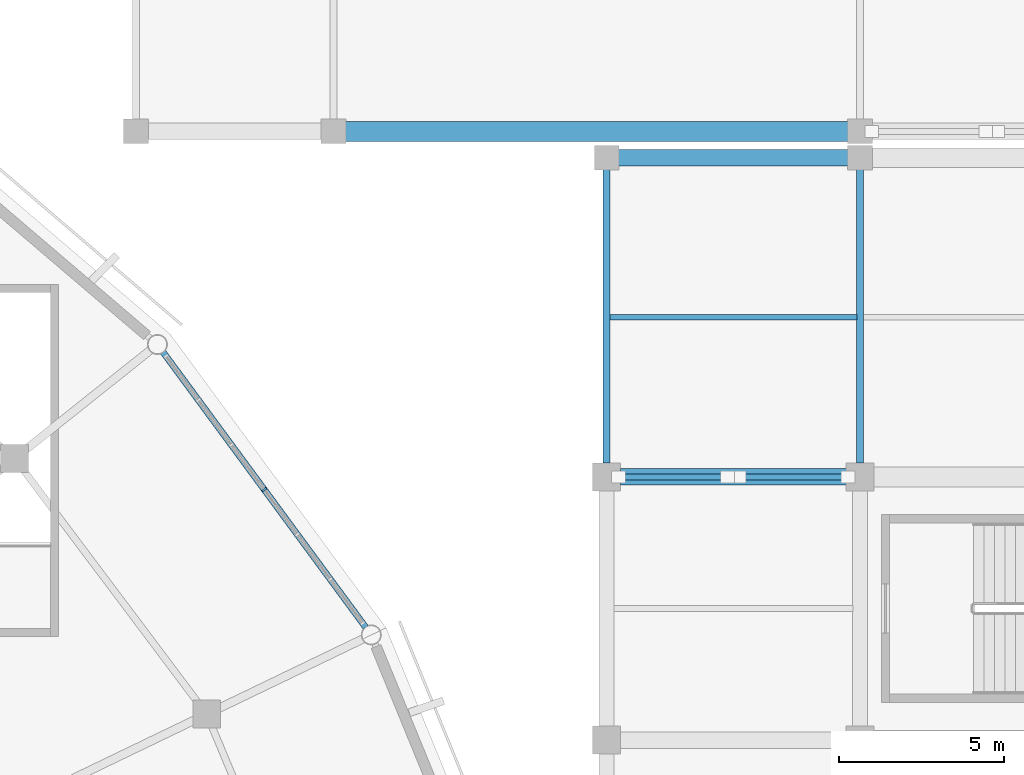
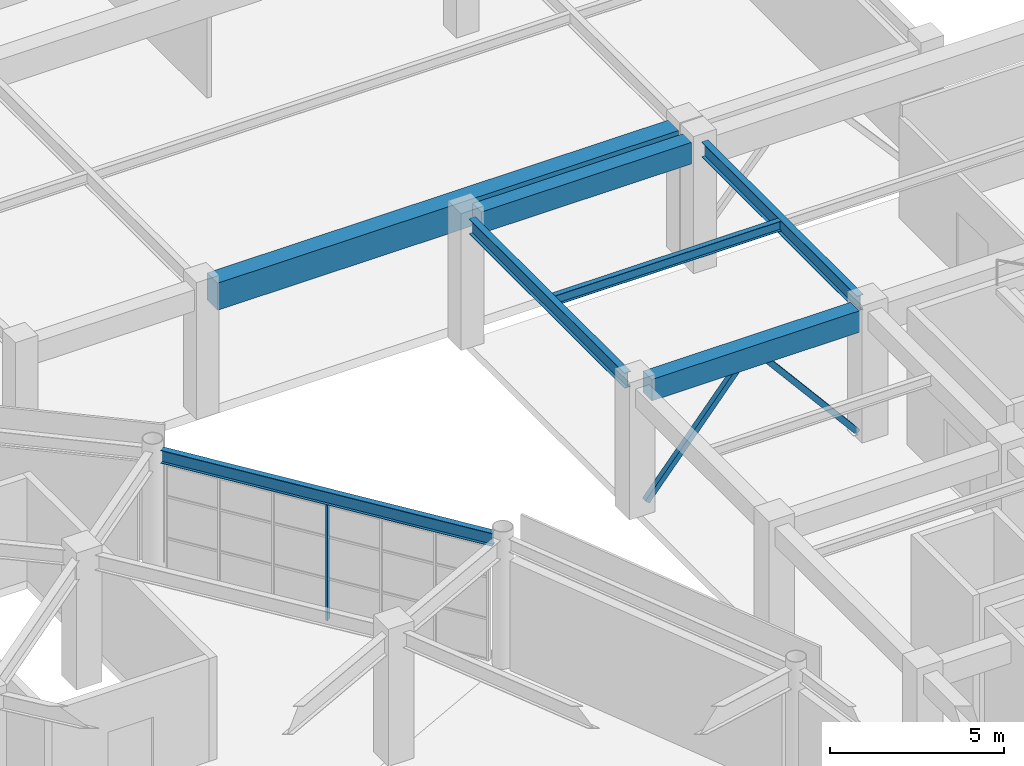
# One storey, part 59 of 112: 7 beams, 3 members, 1 element without a shape of its own.
"""IFC4 building model written with IfcOpenShell, lengths in metres."""

from ifc_helpers import new_model, si_unit, direction, frame, origin, origin_2d, place, context, subcontext, project, spatial, rectangle, hollow_rectangle, i_section, extrude, material, material_profile, profile_set, type_object, element, aggregate, save


model = new_model("IFC4")

# Units and contexts
model_context = context("Model", 3, precision=1e-05, world=origin(), true_north=direction((0.0, 1.0)))
body_context = subcontext(model_context, "Body", "Model", "MODEL_VIEW")
ifc_project = project(units=[si_unit("LENGTHUNIT", "METRE"), si_unit("AREAUNIT", "SQUARE_METRE"), si_unit("VOLUMEUNIT", "CUBIC_METRE"), si_unit("PLANEANGLEUNIT", "RADIAN"), si_unit("MASSUNIT", "GRAM", prefix="KILO")], contexts=[model_context])

# Site, building, storey
site_placement = place(None, origin())
site = spatial("IfcSite", under=ifc_project, at=site_placement, CompositionType="ELEMENT")
building_placement = place(site_placement, origin())
building = spatial("IfcBuilding", under=site, at=building_placement, Name="Cuetzalor Civic Arena", CompositionType="ELEMENT")
storey_placement = place(building_placement, frame((0.0, 0.0, 11.39990234375)))
storey = spatial("IfcBuildingStorey", under=building, at=storey_placement, Name="L02", CompositionType="ELEMENT", Elevation=11.39990234375)

# Beams
ifc_material_1 = material(Name="Concrete C40/50", Category="concrete")
ifc_material_profile_1 = material_profile(ifc_material_1, rectangle(XDim=0.5, YDim=0.75, at=origin_2d()), Name="RC 500x750")
ifc_profile_set_1 = profile_set([ifc_material_profile_1], Name="Concrete C40/50")
beam_type_1 = type_object("IfcBeamType", Name="ConcreteFrameBeam_500x750", PredefinedType="BEAM", material=ifc_profile_set_1)
beam_1_placement = place(storey_placement, frame((56.715087890625, 25.0, 4.14501953125), z_axis=(1.0, 0.0, 0.0), x_axis=(0.0, 1.0, 0.0)))
element("IfcBeam", 1, at=beam_1_placement, inside=storey, type_object=beam_type_1, Name="Frame Girder V4E-L02-X0730", PredefinedType="BEAM", context=body_context, shape_type="SweptSolid", body=[
    extrude(rectangle(XDim=0.5, YDim=0.75, at=origin_2d()), origin(), (0.0, 0.0, 1.0), 6.869873046875),
])
beam_2_placement = place(storey_placement, frame((56.6650390625, 34.699951171875, 4.14501953125), z_axis=(1.0, 0.0, 0.0), x_axis=(0.0, 1.0, 0.0)))
element("IfcBeam", 2, at=beam_2_placement, inside=storey, type_object=beam_type_1, Name="Frame Girder V4E-L02-X0733", PredefinedType="BEAM", context=body_context, shape_type="SweptSolid", body=[
    extrude(rectangle(XDim=0.5, YDim=0.75, at=origin_2d()), origin(), (0.0, 0.0, 1.0), 6.969970703125),
])
ifc_material_2 = material(Name="Concrete C40/50", Category="concrete")
ifc_material_profile_2 = material_profile(ifc_material_2, rectangle(XDim=0.60009765625, YDim=0.949951171875, at=origin_2d()), Name="RC 600x950")
ifc_profile_set_2 = profile_set([ifc_material_profile_2], Name="Concrete C40/50")
beam_type_2 = type_object("IfcBeamType", Name="ConcreteFrameBeam_600x950", PredefinedType="BEAM", material=ifc_profile_set_2)
beam_3_placement = place(storey_placement, frame((48.364990234375, 35.5, 4.005126953125), z_axis=(1.0, 0.0, 0.0), x_axis=(0.0, 1.0, 0.0)))
element("IfcBeam", 3, at=beam_3_placement, inside=storey, type_object=beam_type_2, Name="Frame Girder V5-L02-X0782", PredefinedType="BEAM", context=body_context, shape_type="SweptSolid", body=[
    extrude(rectangle(XDim=0.60009765625, YDim=0.949951171875, at=origin_2d()), origin(), (0.0, 0.0, 1.0), 15.27001953125),
])

# Curtain wall, member
ifc_material_3 = material(Name="Anodised dark bronze aluminium and low-E solar glass", Category="aluminium")
curtain_wall_type = type_object("IfcCurtainWallType", Name="UnitisedCW_10150x4050", PredefinedType="USERDEFINED", material=ifc_material_3)
curtain_wall_placement = place(storey_placement, origin())
curtain_wall = element("IfcCurtainWall", 4, at=curtain_wall_placement, inside=storey, type_object=curtain_wall_type, Name="Drum Triangle Foyer Curtain Wall L02-033", ObjectType="UNITISED CURTAIN WALL", PredefinedType="USERDEFINED")
ifc_material_4 = material(Name="Anodised dark bronze aluminium", Category="aluminium")
ifc_material_profile_3 = material_profile(ifc_material_4, rectangle(XDim=0.06494140625, YDim=0.14990234375, at=origin_2d()), Name="ALU MULLION 65x150")
ifc_profile_set_3 = profile_set([ifc_material_profile_3], Name="Anodised dark bronze aluminium")
member_type_1 = type_object("IfcMemberType", Name="CurtainWallMullion_60x150", PredefinedType="MULLION", material=ifc_profile_set_3)
member_1_placement = place(storey_placement, frame((45.8984375, 24.6103515625, 0.0), z_axis=(0.0, 0.0, 1.0), x_axis=(0.59292931222, -0.805254513002, 0.0)))
member_1 = element("IfcMember", 5, at=member_1_placement, type_object=member_type_1, Name="CW-12 mullion 4", PredefinedType="MULLION", context=body_context, shape_type="SweptSolid", body=[
    extrude(rectangle(XDim=0.06494140625, YDim=0.14990234375, at=origin_2d()), origin(), (0.0, 0.0, 1.0), 4.052978515625),
])
aggregate(curtain_wall, [member_1])

# Beam
ifc_material_5 = material(Name="Steel S355", Category="steel")
ifc_material_profile_4 = material_profile(ifc_material_5, i_section(OverallWidth=0.18994140625, OverallDepth=0.45703125, WebThickness=0.009033203125, FlangeThickness=0.014404296875, at=origin_2d()), Name="W460x74")
ifc_profile_set_4 = profile_set([ifc_material_profile_4], Name="Steel S355")
beam_type_3 = type_object("IfcBeamType", Name="FacadeSpandrelBeam_W460", PredefinedType="SPANDREL", material=ifc_profile_set_4)
beam_4_placement = place(storey_placement, frame((48.975830078125, 20.430908203125, 4.29150390625), z_axis=(-0.592928645702, 0.805255003776, 0.0), x_axis=(-0.805255003776, -0.592928645702, 0.0)))
element("IfcBeam", 6, at=beam_4_placement, inside=storey, type_object=beam_type_3, Name="Drum Perimeter Spandrel L02-S03", PredefinedType="SPANDREL", context=body_context, shape_type="SweptSolid", body=[
    extrude(i_section(OverallWidth=0.18994140625, OverallDepth=0.45703125, WebThickness=0.009033203125, FlangeThickness=0.014404296875, at=origin_2d()), origin(), (0.0, 0.0, 1.0), 10.380615234375),
])

# Members
ifc_material_6 = material(Name="Steel S355", Category="steel")
ifc_material_profile_5 = material_profile(ifc_material_6, hollow_rectangle(XDim=0.179931640625, YDim=0.179931640625, WallThickness=0.010009765625, at=origin_2d()), Name="RHS 180x180x10")
ifc_profile_set_5 = profile_set([ifc_material_profile_5], Name="Steel S355")
member_type_2 = type_object("IfcMemberType", Name="LateralFrameBrace_RHS180", PredefinedType="BRACE", material=ifc_profile_set_5)
member_2_placement = place(storey_placement, frame((56.659912109375, 25.0, 0.150146484375), z_axis=(0.644208902135, 0.0, 0.764849586788), x_axis=(0.0, 1.0, 0.0)))
element("IfcMember", 7, at=member_2_placement, inside=storey, type_object=member_type_2, Name="Lateral Chevron Brace V4E-L02-027", PredefinedType="BRACE", context=body_context, shape_type="SweptSolid", body=[
    extrude(hollow_rectangle(XDim=0.179931640625, YDim=0.179931640625, WallThickness=0.010009765625, at=origin_2d()), origin(), (0.0, 0.0, 1.0), 5.13818359375),
])
member_3_placement = place(storey_placement, frame((63.639892578125, 25.0, 0.150146484375), z_axis=(-0.644181104804, 0.0, 0.764872998748), x_axis=(0.0, -1.0, 0.0)))
element("IfcMember", 8, at=member_3_placement, inside=storey, type_object=member_type_2, Name="Lateral Chevron Brace V4E-L02-028", PredefinedType="BRACE", context=body_context, shape_type="SweptSolid", body=[
    extrude(hollow_rectangle(XDim=0.179931640625, YDim=0.179931640625, WallThickness=0.010009765625, at=origin_2d()), origin(), (0.0, 0.0, 1.0), 5.137939453125),
])

# Beams
ifc_material_7 = material(Name="Steel S355", Category="steel")
ifc_material_profile_6 = material_profile(ifc_material_7, i_section(OverallWidth=0.1708984375, OverallDepth=0.35498046875, WebThickness=0.007080078125, FlangeThickness=0.01171875, at=origin_2d()), Name="W360x51")
ifc_profile_set_6 = profile_set([ifc_material_profile_6], Name="Steel S355")
beam_type_4 = type_object("IfcBeamType", Name="SecondaryFloorJoist_W360", PredefinedType="JOIST", material=ifc_profile_set_6)
beam_5_placement = place(storey_placement, frame((56.396484375, 29.85009765625, 4.342529296875), z_axis=(1.0, 0.0, 0.0), x_axis=(0.0, 1.0, 0.0)))
element("IfcBeam", 9, at=beam_5_placement, inside=storey, type_object=beam_type_4, Name="Secondary Floor Joist V4E-L02-0227", PredefinedType="JOIST", context=body_context, shape_type="SweptSolid", body=[
    extrude(i_section(OverallWidth=0.1708984375, OverallDepth=0.35498046875, WebThickness=0.007080078125, FlangeThickness=0.01171875, at=origin_2d()), origin(), (0.0, 0.0, 1.0), 7.507080078125),
])
ifc_material_8 = material(Name="Steel S355", Category="steel")
ifc_material_profile_7 = material_profile(ifc_material_8, i_section(OverallWidth=0.208984375, OverallDepth=0.532958984375, WebThickness=0.01025390625, FlangeThickness=0.015625, at=origin_2d()), Name="W530x92")
ifc_profile_set_7 = profile_set([ifc_material_profile_7], Name="Steel S355")
beam_type_5 = type_object("IfcBeamType", Name="SteelCollarGirder_W530", PredefinedType="BEAM", material=ifc_profile_set_7)
for number, where, z_axis, x_axis, name in (
    (10, (56.300048828125, 25.4150390625, 4.253662109375), (0.0, 1.0, 0.0), (-1.0, 0.0, 0.0), "Frame Girder V4E-L02-Y0747"),
    (11, (64.0, 25.4150390625, 4.253662109375), (0.0, 1.0, 0.0), (-1.0, 0.0, 0.0), "Frame Girder V4E-L02-Y0757"),
):
    element("IfcBeam", number, at=place(storey_placement, frame(where, z_axis=z_axis, x_axis=x_axis)), inside=storey, type_object=beam_type_5, Name=name, PredefinedType="BEAM", context=body_context, shape_type="SweptSolid", body=[
        extrude(i_section(OverallWidth=0.208984375, OverallDepth=0.532958984375, WebThickness=0.01025390625, FlangeThickness=0.015625, at=origin_2d()), origin(), (0.0, 0.0, 1.0), 8.919921875),
    ])

save(model, "model.ifc")
